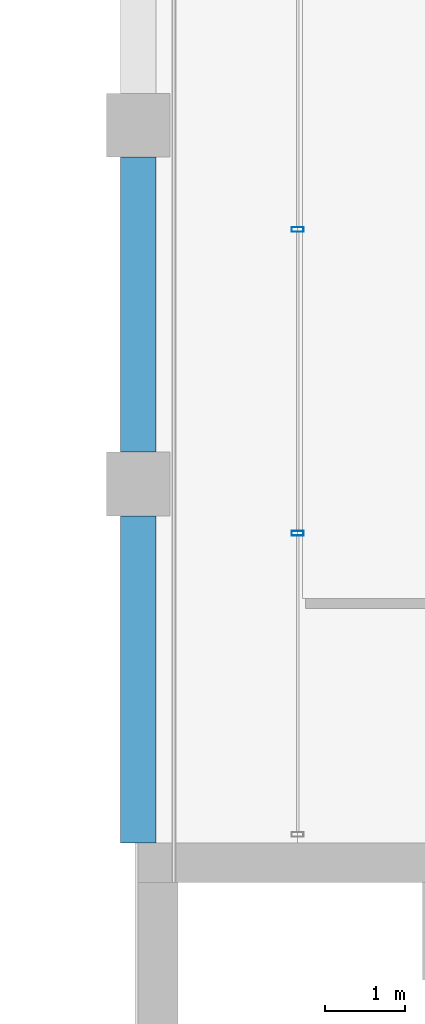
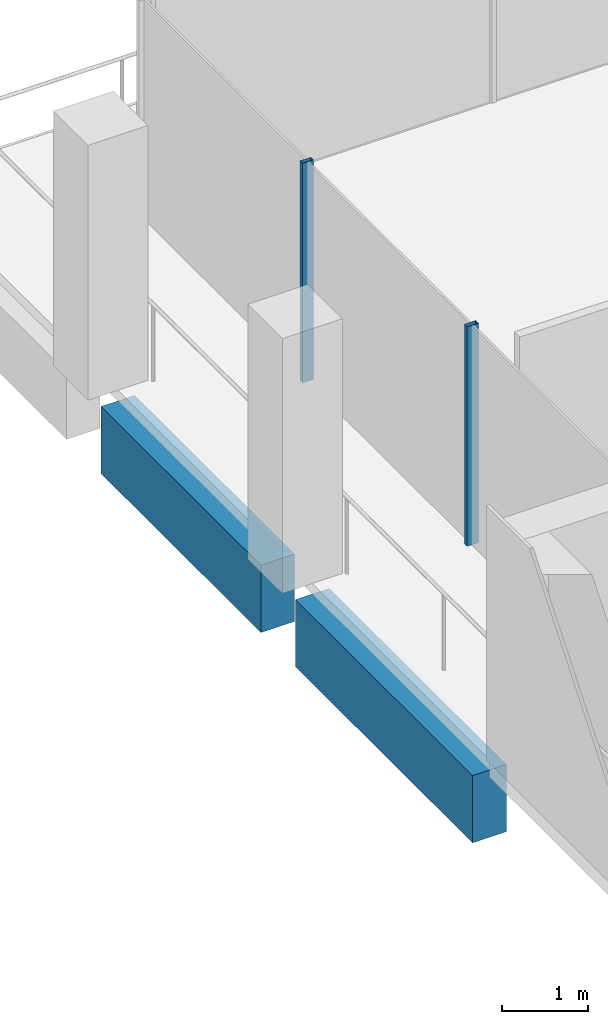
# One storey, part 20 of 30: 2 beams, 2 members, 1 element without a shape of its own.
"""IFC4 building model written with IfcOpenShell, lengths in metres."""

from ifc_helpers import new_model, si_unit, direction, frame, origin, origin_2d, place, context, subcontext, project, spatial, rectangle, hollow_rectangle, extrude, material, material_profile, profile_set, type_object, element, aggregate, save


model = new_model("IFC4")

# Units and contexts
model_context = context("Model", 3, precision=1e-05, world=origin(), true_north=direction((0.0, 1.0)))
body_context = subcontext(model_context, "Body", "Model", "MODEL_VIEW")
ifc_project = project(units=[si_unit("LENGTHUNIT", "METRE"), si_unit("AREAUNIT", "SQUARE_METRE"), si_unit("VOLUMEUNIT", "CUBIC_METRE"), si_unit("PLANEANGLEUNIT", "RADIAN"), si_unit("MASSUNIT", "GRAM", prefix="KILO")], contexts=[model_context])

# Site, building, storey
site_placement = place(None, origin())
site = spatial("IfcSite", under=ifc_project, at=site_placement, CompositionType="ELEMENT")
building_placement = place(site_placement, origin())
building = spatial("IfcBuilding", under=site, at=building_placement, Name="Altepetl Exchange Towers", CompositionType="ELEMENT")
storey_placement = place(building_placement, frame((0.0, 0.0, 213.60009765625)))
storey = spatial("IfcBuildingStorey", under=building, at=storey_placement, Name="L54", CompositionType="ELEMENT", Elevation=213.60009765625)

# Curtain wall, members
ifc_material_1 = material(Name="Aluminium 6063-T6 glazing", Category="aluminium")
curtain_wall_type = type_object("IfcCurtainWallType", Name="Loggia glazing system", PredefinedType="NOTDEFINED", material=ifc_material_1)
curtain_wall_placement = place(storey_placement, origin())
curtain_wall = element("IfcCurtainWall", 1, at=curtain_wall_placement, inside=storey, type_object=curtain_wall_type, Name="CW1 run", PredefinedType="NOTDEFINED")
ifc_material_2 = material(Name="Aluminium 6063-T6", Category="aluminium")
ifc_material_profile_1 = material_profile(ifc_material_2, hollow_rectangle(XDim=0.06005859375, YDim=0.14990234375, WallThickness=0.0029296875, at=origin_2d()), Name="Mullion 60x150 aluminium")
ifc_profile_set_1 = profile_set([ifc_material_profile_1], Name="Aluminium 6063-T6")
member_type = type_object("IfcMemberType", Name="Mullion 60x150 aluminium", PredefinedType="MULLION", material=ifc_profile_set_1)
member_1_placement = place(storey_placement, frame((42.5, 66.191650390625, 0.0), z_axis=(0.0, 0.0, 1.0), x_axis=(0.0, -1.0, 0.0)))
member_1 = element("IfcMember", 2, at=member_1_placement, type_object=member_type, Name="MU1 mullion", PredefinedType="MULLION", context=body_context, shape_type="SweptSolid", body=[
    extrude(hollow_rectangle(XDim=0.06005859375, YDim=0.14990234375, WallThickness=0.0029296875, at=origin_2d()), origin(), (0.0, 0.0, 1.0), 3.099853515625),
])
member_2_placement = place(storey_placement, frame((42.5, 62.38330078125, 0.0), z_axis=(0.0, 0.0, 1.0), x_axis=(0.0, -1.0, 0.0)))
member_2 = element("IfcMember", 3, at=member_2_placement, type_object=member_type, Name="MU1 mullion", PredefinedType="MULLION", context=body_context, shape_type="SweptSolid", body=[
    extrude(hollow_rectangle(XDim=0.06005859375, YDim=0.14990234375, WallThickness=0.0029296875, at=origin_2d()), origin(), (0.0, 0.0, 1.0), 3.099853515625),
])
aggregate(curtain_wall, [member_1, member_2])

# Beams
ifc_material_3 = material(Name="Concrete C50/60 precast with tezontle facing", Category="concrete")
ifc_material_profile_2 = material_profile(ifc_material_3, rectangle(XDim=0.449951171875, YDim=0.949951171875, at=origin_2d()), Name="450 x 950")
ifc_profile_set_2 = profile_set([ifc_material_profile_2], Name="Concrete C50/60 precast with tezontle facing")
beam_type = type_object("IfcBeamType", Name="Spandrel beam 450x950 tezontle", PredefinedType="SPANDREL", material=ifc_profile_set_2)
beam_1_placement = place(storey_placement, frame((40.5, 67.10009765625, -0.625), z_axis=(0.0, -1.0, 0.0), x_axis=(1.0, 0.0, 0.0)))
element("IfcBeam", 4, at=beam_1_placement, inside=storey, type_object=beam_type, Name="sp:A:L54:031", PredefinedType="SPANDREL", context=body_context, shape_type="SweptSolid", body=[
    extrude(rectangle(XDim=0.449951171875, YDim=0.949951171875, at=origin_2d()), origin(), (0.0, 0.0, 1.0), 3.7001953125),
])
beam_2_placement = place(storey_placement, frame((40.5, 62.60009765625, -0.625), z_axis=(0.0, -1.0, 0.0), x_axis=(1.0, 0.0, 0.0)))
element("IfcBeam", 5, at=beam_2_placement, inside=storey, type_object=beam_type, Name="sp:A:L54:032", PredefinedType="SPANDREL", context=body_context, shape_type="SweptSolid", body=[
    extrude(rectangle(XDim=0.449951171875, YDim=0.949951171875, at=origin_2d()), origin(), (0.0, 0.0, 1.0), 4.10009765625),
])

save(model, "model.ifc")
